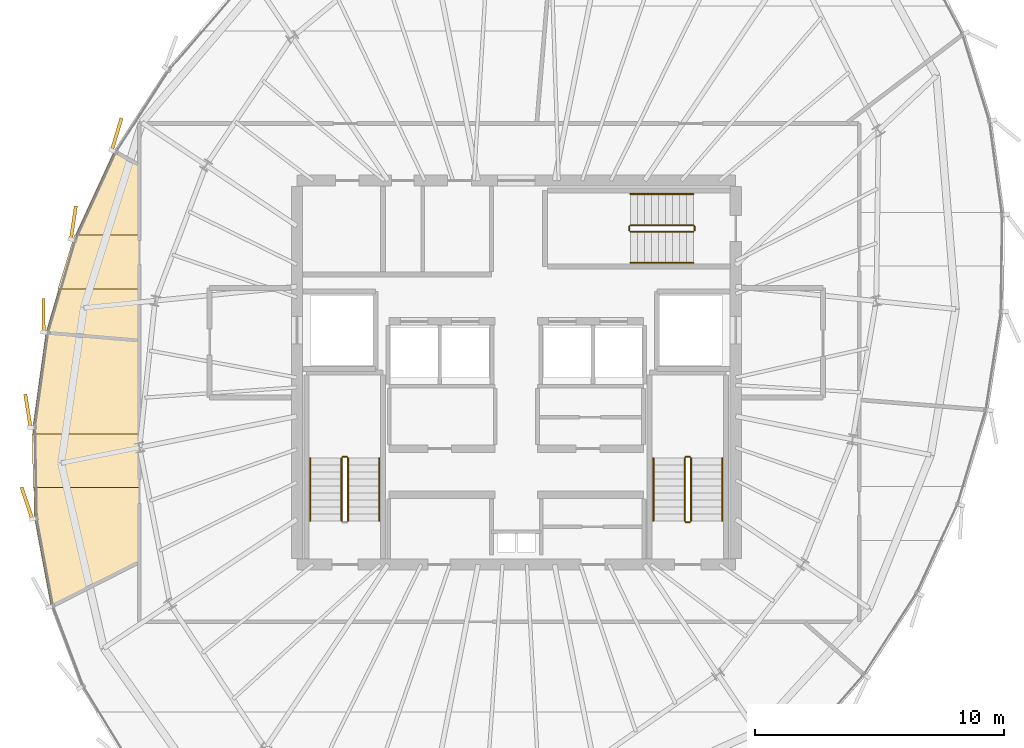
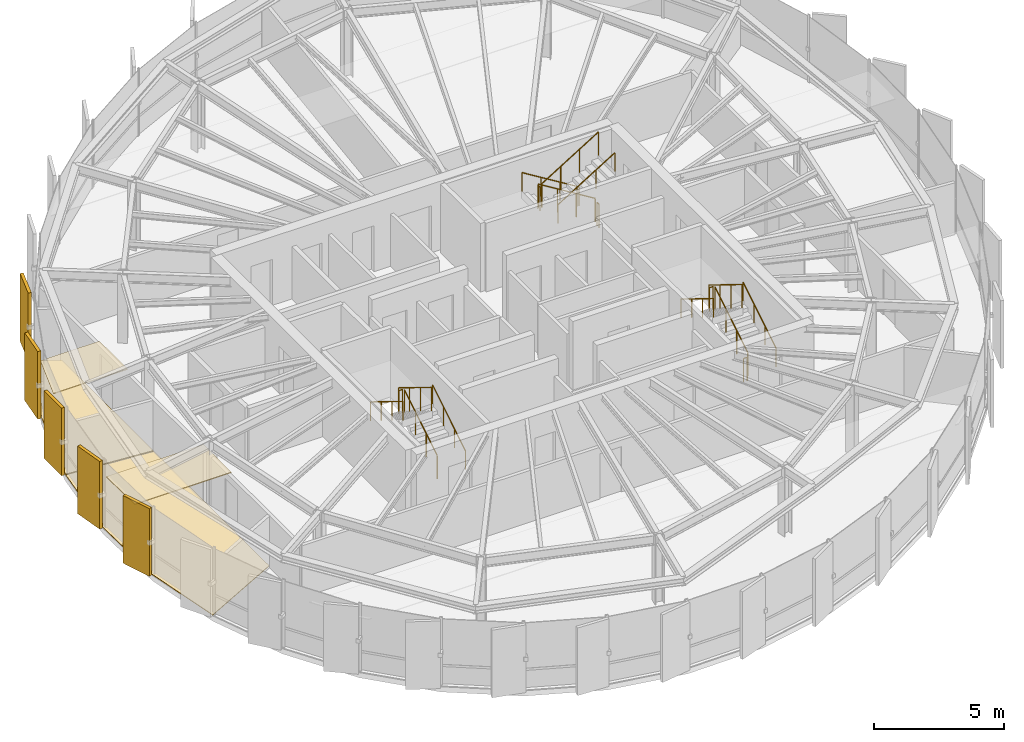
# One storey, part 31 of 32: 17 railings, 9 coverings.
"""IFC4 building model written with IfcOpenShell, lengths in metres."""

from ifc_helpers import new_model, si_unit, direction, frame, origin, origin_2d, place, context, subcontext, project, spatial, polyline, rectangle, circle, outline, extrude, source, transform, mapped, material, layer, layer_set, type_object, element, save


model = new_model("IFC4")

# Units and contexts
model_context = context("Model", 3, precision=1e-05, world=origin(), true_north=direction((0.0, 1.0)))
body_context = subcontext(model_context, "Body", "Model", "MODEL_VIEW")
ifc_project = project(units=[si_unit("LENGTHUNIT", "METRE"), si_unit("AREAUNIT", "SQUARE_METRE"), si_unit("VOLUMEUNIT", "CUBIC_METRE"), si_unit("PLANEANGLEUNIT", "RADIAN"), si_unit("MASSUNIT", "GRAM", prefix="KILO"), si_unit("THERMODYNAMICTEMPERATUREUNIT", "KELVIN")], contexts=[model_context])

# Site, building, storey
site_placement = place(None, origin())
site = spatial("IfcSite", under=ifc_project, at=site_placement, CompositionType="ELEMENT")
building_placement = place(site_placement, origin())
building = spatial("IfcBuilding", under=site, at=building_placement, Name="Kethvar Cultural Tower", CompositionType="ELEMENT")
storey_placement = place(building_placement, frame((0.0, 0.0, 280.14990234375)))
storey = spatial("IfcBuildingStorey", under=building, at=storey_placement, Name="L74", CompositionType="ELEMENT", Elevation=280.14990234375)

# Coverings
ifc_material_1 = material(Name="Acoustic Mineral Fibre Ceiling")
ifc_layer_1 = layer(ifc_material_1, 0.0400390625, Name="Acoustic Mineral Fibre Ceiling")
ifc_layer_set_1 = layer_set([ifc_layer_1], Name="Acoustic Mineral Fibre Ceiling (40 mm)")
covering_type_1 = type_object("IfcCoveringType", Name="CV-ACOUSTIC-CEIL", PredefinedType="CEILING", material=ifc_layer_set_1)
covering_1_placement = place(storey_placement, frame((0.0, 0.0, 2.56005859375)))
element("IfcCovering", 1, at=covering_1_placement, inside=storey, type_object=covering_type_1, Name="L74 Room 06 Acoustic Ceiling Panel", PredefinedType="CEILING", context=body_context, shape_type="SweptSolid", body=[
    extrude(outline(polyline([(28.41455078125, 31.159423828125), (29.077392578125, 33.309326171875), (31.699951171875, 33.309326171875), (31.699951171875, 31.159423828125), (28.41455078125, 31.159423828125)])), origin(), (0.0, 0.0, 1.0), 0.0400390625),
])
covering_2_placement = place(storey_placement, frame((0.0, 0.0, 2.56005859375)))
element("IfcCovering", 2, at=covering_2_placement, inside=storey, type_object=covering_type_1, Name="L74 Room 07 Acoustic Ceiling Panel", PredefinedType="CEILING", context=body_context, shape_type="SweptSolid", body=[
    extrude(outline(polyline([(27.383056640625, 25.331787109375), (31.699951171875, 25.331787109375), (31.699951171875, 23.181640625), (27.422607421875, 23.181640625), (27.383056640625, 25.331787109375)])), origin(), (0.0, 0.0, 1.0), 0.0400390625),
])
ifc_material_2 = material(Name="Honed Warm Limestone", Category="masonry")
ifc_layer_2 = layer(ifc_material_2, 0.030029296875, Name="Honed Warm Limestone", Category="masonry")
ifc_layer_set_2 = layer_set([ifc_layer_2], Name="Honed Warm Limestone (30 mm)")
covering_type_2 = type_object("IfcCoveringType", Name="CV-STONE-FLOOR", PredefinedType="FLOORING", material=ifc_layer_set_2)
covering_3_placement = place(storey_placement, origin())
element("IfcCovering", 3, at=covering_3_placement, inside=storey, type_object=covering_type_2, Name="L74 Room 06 Floor Finish", PredefinedType="FLOORING", context=body_context, shape_type="SweptSolid", body=[
    extrude(outline(polyline([(29.032470703125, 33.115966796875), (30.658203125, 36.651123046875), (31.659912109375, 36.1005859375), (31.659912109375, 29.107177734375), (27.94482421875, 29.423095703125), (29.032470703125, 33.115966796875)])), origin(), (0.0, 0.0, 1.0), 0.030029296875),
])
covering_4_placement = place(storey_placement, origin())
element("IfcCovering", 4, at=covering_4_placement, inside=storey, type_object=covering_type_2, Name="L74 Room 07 Floor Finish", PredefinedType="FLOORING", context=body_context, shape_type="SweptSolid", body=[
    extrude(outline(polyline([(27.485595703125, 21.939697265625), (27.41748046875, 25.637451171875), (27.935791015625, 29.3837890625), (31.659912109375, 29.06689453125), (31.659912109375, 20.21533203125), (28.135986328125, 18.44482421875), (27.485595703125, 21.939697265625)])), origin(), (0.0, 0.0, 1.0), 0.030029296875),
])

# Railings
ifc_material_3 = material(Name="Steel S355J2", Category="steel")
railing_type_1 = type_object("IfcRailingType", Name="RL-STAIR-GUARD", PredefinedType="BALUSTRADE", material=ifc_material_3)
railing_1_placement = place(storey_placement, frame((40.050048828125, 21.85009765625, 0.172607421875)))
element("IfcRailing", 5, at=railing_1_placement, inside=storey, type_object=railing_type_1, Name="L74 ST-01 stair guard 1", PredefinedType="BALUSTRADE", context=body_context, shape_type="SweptSolid", body=[
    extrude(circle(Radius=0.02392578125, at=origin_2d()), frame((0.0, 0.0, 1.09619140625), z_axis=(0.0, 0.851400495292, 0.524516154772), x_axis=(-1.0, 0.0, 0.0)), (0.0, 0.0, 1.0), 2.9599609375),
    extrude(circle(Radius=0.02099609375, at=origin_2d()), origin(), (0.0, 0.0, 1.0), 1.072021484375),
    extrude(circle(Radius=0.02099609375, at=origin_2d()), frame((0.0, 0.840087890625, 0.517578125)), (0.0, 0.0, 1.0), 1.072021484375),
    extrude(circle(Radius=0.02099609375, at=origin_2d()), frame((0.0, 1.679931640625, 1.034912109375)), (0.0, 0.0, 1.0), 1.072021484375),
    extrude(circle(Radius=0.02099609375, at=origin_2d()), frame((0.0, 2.52001953125, 1.552490234375)), (0.0, 0.0, 1.0), 1.072021484375),
])
railing_2_placement = place(storey_placement, frame((40.0, 24.419921875, 1.72509765625)))
element("IfcRailing", 6, at=railing_2_placement, inside=storey, type_object=railing_type_1, Name="L74 ST-01 stair guard 2", PredefinedType="BALUSTRADE", context=body_context, shape_type="SweptSolid", body=[
    extrude(circle(Radius=0.02392578125, at=origin_2d()), frame((0.0, 0.0, 1.09619140625), z_axis=(-1.0, 0.0, 0.0), x_axis=(0.0, -1.0, 0.0)), (0.0, 0.0, 1.0), 0.159912109375),
    extrude(circle(Radius=0.02099609375, at=origin_2d()), origin(), (0.0, 0.0, 1.0), 1.072021484375),
    extrude(circle(Radius=0.02099609375, at=origin_2d()), frame((-0.159912109375, 0.0, 0.0)), (0.0, 0.0, 1.0), 1.072021484375),
])
railing_3_placement = place(storey_placement, frame((39.7900390625, 24.3701171875, 1.897705078125)))
element("IfcRailing", 7, at=railing_3_placement, inside=storey, type_object=railing_type_1, Name="L74 ST-01 stair guard 3", PredefinedType="BALUSTRADE", context=body_context, shape_type="SweptSolid", body=[
    extrude(circle(Radius=0.02392578125, at=origin_2d()), frame((0.0, 0.0, 1.09619140625), z_axis=(0.0, -0.851400495292, 0.524516154772), x_axis=(1.0, 0.0, 0.0)), (0.0, 0.0, 1.0), 2.9599609375),
    extrude(circle(Radius=0.02099609375, at=origin_2d()), origin(), (0.0, 0.0, 1.0), 1.072021484375),
    extrude(circle(Radius=0.02099609375, at=origin_2d()), frame((0.0, -0.840087890625, 0.517578125)), (0.0, 0.0, 1.0), 1.072021484375),
    extrude(circle(Radius=0.02099609375, at=origin_2d()), frame((0.0, -1.679931640625, 1.034912109375)), (0.0, 0.0, 1.0), 1.072021484375),
    extrude(circle(Radius=0.02099609375, at=origin_2d()), frame((0.0, -2.52001953125, 1.552490234375)), (0.0, 0.0, 1.0), 1.072021484375),
])
railing_4_placement = place(storey_placement, frame((53.81005859375, 21.85009765625, 0.172607421875)))
element("IfcRailing", 8, at=railing_4_placement, inside=storey, type_object=railing_type_1, Name="L74 ST-02 stair guard 1", PredefinedType="BALUSTRADE", context=body_context, shape_type="SweptSolid", body=[
    extrude(circle(Radius=0.02392578125, at=origin_2d()), frame((0.0, 0.0, 1.09619140625), z_axis=(0.0, 0.851400495292, 0.524516154772), x_axis=(-1.0, 0.0, 0.0)), (0.0, 0.0, 1.0), 2.9599609375),
    extrude(circle(Radius=0.02099609375, at=origin_2d()), origin(), (0.0, 0.0, 1.0), 1.072021484375),
    extrude(circle(Radius=0.02099609375, at=origin_2d()), frame((0.0, 0.840087890625, 0.517578125)), (0.0, 0.0, 1.0), 1.072021484375),
    extrude(circle(Radius=0.02099609375, at=origin_2d()), frame((0.0, 1.679931640625, 1.034912109375)), (0.0, 0.0, 1.0), 1.072021484375),
    extrude(circle(Radius=0.02099609375, at=origin_2d()), frame((0.0, 2.52001953125, 1.552490234375)), (0.0, 0.0, 1.0), 1.072021484375),
])
railing_5_placement = place(storey_placement, frame((53.760009765625, 24.419921875, 1.72509765625)))
element("IfcRailing", 9, at=railing_5_placement, inside=storey, type_object=railing_type_1, Name="L74 ST-02 stair guard 2", PredefinedType="BALUSTRADE", context=body_context, shape_type="SweptSolid", body=[
    extrude(circle(Radius=0.02392578125, at=origin_2d()), frame((0.0, 0.0, 1.09619140625), z_axis=(-1.0, 0.0, 0.0), x_axis=(0.0, -1.0, 0.0)), (0.0, 0.0, 1.0), 0.159912109375),
    extrude(circle(Radius=0.02099609375, at=origin_2d()), origin(), (0.0, 0.0, 1.0), 1.072021484375),
    extrude(circle(Radius=0.02099609375, at=origin_2d()), frame((-0.159912109375, 0.0, 0.0)), (0.0, 0.0, 1.0), 1.072021484375),
])
railing_6_placement = place(storey_placement, frame((53.550048828125, 24.3701171875, 1.897705078125)))
element("IfcRailing", 10, at=railing_6_placement, inside=storey, type_object=railing_type_1, Name="L74 ST-02 stair guard 3", PredefinedType="BALUSTRADE", context=body_context, shape_type="SweptSolid", body=[
    extrude(circle(Radius=0.02392578125, at=origin_2d()), frame((0.0, 0.0, 1.09619140625), z_axis=(0.0, -0.851400495292, 0.524516154772), x_axis=(1.0, 0.0, 0.0)), (0.0, 0.0, 1.0), 2.9599609375),
    extrude(circle(Radius=0.02099609375, at=origin_2d()), origin(), (0.0, 0.0, 1.0), 1.072021484375),
    extrude(circle(Radius=0.02099609375, at=origin_2d()), frame((0.0, -0.840087890625, 0.517578125)), (0.0, 0.0, 1.0), 1.072021484375),
    extrude(circle(Radius=0.02099609375, at=origin_2d()), frame((0.0, -1.679931640625, 1.034912109375)), (0.0, 0.0, 1.0), 1.072021484375),
    extrude(circle(Radius=0.02099609375, at=origin_2d()), frame((0.0, -2.52001953125, 1.552490234375)), (0.0, 0.0, 1.0), 1.072021484375),
])
railing_7_placement = place(storey_placement, frame((53.760009765625, 21.800048828125, 0.0)))
element("IfcRailing", 11, at=railing_7_placement, inside=storey, type_object=railing_type_1, Name="L74 ST-02 stair guard 4", PredefinedType="BALUSTRADE", context=body_context, shape_type="SweptSolid", body=[
    extrude(circle(Radius=0.02392578125, at=origin_2d()), frame((0.0, 0.0, 1.09619140625), z_axis=(-1.0, 0.0, 0.0), x_axis=(0.0, -1.0, 0.0)), (0.0, 0.0, 1.0), 0.159912109375),
    extrude(circle(Radius=0.02099609375, at=origin_2d()), origin(), (0.0, 0.0, 1.0), 1.072021484375),
    extrude(circle(Radius=0.02099609375, at=origin_2d()), frame((-0.159912109375, 0.0, 0.0)), (0.0, 0.0, 1.0), 1.072021484375),
])
railing_8_placement = place(storey_placement, frame((53.89990234375, 33.7099609375, 0.172607421875)))
element("IfcRailing", 12, at=railing_8_placement, inside=storey, type_object=railing_type_1, Name="L74 ST-03 stair guard 1", PredefinedType="BALUSTRADE", context=body_context, shape_type="SweptSolid", body=[
    extrude(circle(Radius=0.02392578125, at=origin_2d()), frame((0.0, 0.0, 1.09619140625), z_axis=(-0.851400495292, 0.0, 0.524516154772), x_axis=(0.0, -1.0, 0.0)), (0.0, 0.0, 1.0), 2.9599609375),
    extrude(circle(Radius=0.02099609375, at=origin_2d()), origin(), (0.0, 0.0, 1.0), 1.072021484375),
    extrude(circle(Radius=0.02099609375, at=origin_2d()), frame((-0.840087890625, 0.0, 0.517578125)), (0.0, 0.0, 1.0), 1.072021484375),
    extrude(circle(Radius=0.02099609375, at=origin_2d()), frame((-1.679931640625, 0.0, 1.034912109375)), (0.0, 0.0, 1.0), 1.072021484375),
    extrude(circle(Radius=0.02099609375, at=origin_2d()), frame((-2.52001953125, 0.0, 1.552490234375)), (0.0, 0.0, 1.0), 1.072021484375),
])
railing_9_placement = place(storey_placement, frame((51.330078125, 33.659912109375, 1.72509765625)))
element("IfcRailing", 13, at=railing_9_placement, inside=storey, type_object=railing_type_1, Name="L74 ST-03 stair guard 2", PredefinedType="BALUSTRADE", context=body_context, shape_type="SweptSolid", body=[
    extrude(circle(Radius=0.02392578125, at=origin_2d()), frame((0.0, 0.0, 1.09619140625), z_axis=(0.0, -1.0, 0.0), x_axis=(1.0, 0.0, 0.0)), (0.0, 0.0, 1.0), 0.159912109375),
    extrude(circle(Radius=0.02099609375, at=origin_2d()), origin(), (0.0, 0.0, 1.0), 1.072021484375),
    extrude(circle(Radius=0.02099609375, at=origin_2d()), frame((0.0, -0.159912109375, 0.0)), (0.0, 0.0, 1.0), 1.072021484375),
])
railing_10_placement = place(storey_placement, frame((51.3798828125, 33.449951171875, 1.897705078125)))
element("IfcRailing", 14, at=railing_10_placement, inside=storey, type_object=railing_type_1, Name="L74 ST-03 stair guard 3", PredefinedType="BALUSTRADE", context=body_context, shape_type="SweptSolid", body=[
    extrude(circle(Radius=0.02392578125, at=origin_2d()), frame((0.0, 0.0, 1.09619140625), z_axis=(0.851400495292, 0.0, 0.524516154772), x_axis=(0.0, 1.0, 0.0)), (0.0, 0.0, 1.0), 2.9599609375),
    extrude(circle(Radius=0.02099609375, at=origin_2d()), origin(), (0.0, 0.0, 1.0), 1.072021484375),
    extrude(circle(Radius=0.02099609375, at=origin_2d()), frame((0.840087890625, 0.0, 0.517578125)), (0.0, 0.0, 1.0), 1.072021484375),
    extrude(circle(Radius=0.02099609375, at=origin_2d()), frame((1.679931640625, 0.0, 1.034912109375)), (0.0, 0.0, 1.0), 1.072021484375),
    extrude(circle(Radius=0.02099609375, at=origin_2d()), frame((2.52001953125, 0.0, 1.552490234375)), (0.0, 0.0, 1.0), 1.072021484375),
])
railing_11_placement = place(storey_placement, frame((53.949951171875, 33.659912109375, 0.0)))
element("IfcRailing", 15, at=railing_11_placement, inside=storey, type_object=railing_type_1, Name="L74 ST-03 stair guard 4", PredefinedType="BALUSTRADE", context=body_context, shape_type="SweptSolid", body=[
    extrude(circle(Radius=0.02392578125, at=origin_2d()), frame((0.0, 0.0, 1.09619140625), z_axis=(0.0, -1.0, 0.0), x_axis=(1.0, 0.0, 0.0)), (0.0, 0.0, 1.0), 0.159912109375),
    extrude(circle(Radius=0.02099609375, at=origin_2d()), origin(), (0.0, 0.0, 1.0), 1.072021484375),
    extrude(circle(Radius=0.02099609375, at=origin_2d()), frame((0.0, -0.159912109375, 0.0)), (0.0, 0.0, 1.0), 1.072021484375),
])
railing_type_2 = type_object("IfcRailingType", Name="RL-STAIR-HANDRAIL", PredefinedType="HANDRAIL", material=ifc_material_3)
railing_12_placement = place(storey_placement, frame((41.300048828125, 21.85009765625, 0.172607421875)))
element("IfcRailing", 16, at=railing_12_placement, inside=storey, type_object=railing_type_2, Name="L74 ST-01 stair handrail 1", PredefinedType="HANDRAIL", context=body_context, shape_type="SweptSolid", body=[
    extrude(circle(Radius=0.02392578125, at=origin_2d()), frame((0.0, 0.0, 0.8759765625), z_axis=(0.0, 0.851400495292, 0.524516154772), x_axis=(-1.0, 0.0, 0.0)), (0.0, 0.0, 1.0), 2.9599609375),
    extrude(circle(Radius=0.02099609375, at=origin_2d()), origin(), (0.0, 0.0, 1.0), 0.851806640625),
    extrude(circle(Radius=0.02099609375, at=origin_2d()), frame((0.0, 0.840087890625, 0.517578125)), (0.0, 0.0, 1.0), 0.851806640625),
    extrude(circle(Radius=0.02099609375, at=origin_2d()), frame((0.0, 1.679931640625, 1.034912109375)), (0.0, 0.0, 1.0), 0.851806640625),
    extrude(circle(Radius=0.02099609375, at=origin_2d()), frame((0.0, 2.52001953125, 1.552490234375)), (0.0, 0.0, 1.0), 0.851806640625),
])
railing_13_placement = place(storey_placement, frame((38.5400390625, 24.3701171875, 1.897705078125)))
element("IfcRailing", 17, at=railing_13_placement, inside=storey, type_object=railing_type_2, Name="L74 ST-01 stair handrail 2", PredefinedType="HANDRAIL", context=body_context, shape_type="SweptSolid", body=[
    extrude(circle(Radius=0.02392578125, at=origin_2d()), frame((0.0, 0.0, 0.8759765625), z_axis=(0.0, -0.851400495292, 0.524516154772), x_axis=(1.0, 0.0, 0.0)), (0.0, 0.0, 1.0), 2.9599609375),
    extrude(circle(Radius=0.02099609375, at=origin_2d()), origin(), (0.0, 0.0, 1.0), 0.851806640625),
    extrude(circle(Radius=0.02099609375, at=origin_2d()), frame((0.0, -0.840087890625, 0.517578125)), (0.0, 0.0, 1.0), 0.851806640625),
    extrude(circle(Radius=0.02099609375, at=origin_2d()), frame((0.0, -1.679931640625, 1.034912109375)), (0.0, 0.0, 1.0), 0.851806640625),
    extrude(circle(Radius=0.02099609375, at=origin_2d()), frame((0.0, -2.52001953125, 1.552490234375)), (0.0, 0.0, 1.0), 0.851806640625),
])
railing_14_placement = place(storey_placement, frame((55.06005859375, 21.85009765625, 0.172607421875)))
element("IfcRailing", 18, at=railing_14_placement, inside=storey, type_object=railing_type_2, Name="L74 ST-02 stair handrail 1", PredefinedType="HANDRAIL", context=body_context, shape_type="SweptSolid", body=[
    extrude(circle(Radius=0.02392578125, at=origin_2d()), frame((0.0, 0.0, 0.8759765625), z_axis=(0.0, 0.851400495292, 0.524516154772), x_axis=(-1.0, 0.0, 0.0)), (0.0, 0.0, 1.0), 2.9599609375),
    extrude(circle(Radius=0.02099609375, at=origin_2d()), origin(), (0.0, 0.0, 1.0), 0.851806640625),
    extrude(circle(Radius=0.02099609375, at=origin_2d()), frame((0.0, 0.840087890625, 0.517578125)), (0.0, 0.0, 1.0), 0.851806640625),
    extrude(circle(Radius=0.02099609375, at=origin_2d()), frame((0.0, 1.679931640625, 1.034912109375)), (0.0, 0.0, 1.0), 0.851806640625),
    extrude(circle(Radius=0.02099609375, at=origin_2d()), frame((0.0, 2.52001953125, 1.552490234375)), (0.0, 0.0, 1.0), 0.851806640625),
])
railing_15_placement = place(storey_placement, frame((52.300048828125, 24.3701171875, 1.897705078125)))
element("IfcRailing", 19, at=railing_15_placement, inside=storey, type_object=railing_type_2, Name="L74 ST-02 stair handrail 2", PredefinedType="HANDRAIL", context=body_context, shape_type="SweptSolid", body=[
    extrude(circle(Radius=0.02392578125, at=origin_2d()), frame((0.0, 0.0, 0.8759765625), z_axis=(0.0, -0.851400495292, 0.524516154772), x_axis=(1.0, 0.0, 0.0)), (0.0, 0.0, 1.0), 2.9599609375),
    extrude(circle(Radius=0.02099609375, at=origin_2d()), origin(), (0.0, 0.0, 1.0), 0.851806640625),
    extrude(circle(Radius=0.02099609375, at=origin_2d()), frame((0.0, -0.840087890625, 0.517578125)), (0.0, 0.0, 1.0), 0.851806640625),
    extrude(circle(Radius=0.02099609375, at=origin_2d()), frame((0.0, -1.679931640625, 1.034912109375)), (0.0, 0.0, 1.0), 0.851806640625),
    extrude(circle(Radius=0.02099609375, at=origin_2d()), frame((0.0, -2.52001953125, 1.552490234375)), (0.0, 0.0, 1.0), 0.851806640625),
])
railing_16_placement = place(storey_placement, frame((53.89990234375, 34.9599609375, 0.172607421875)))
element("IfcRailing", 20, at=railing_16_placement, inside=storey, type_object=railing_type_2, Name="L74 ST-03 stair handrail 1", PredefinedType="HANDRAIL", context=body_context, shape_type="SweptSolid", body=[
    extrude(circle(Radius=0.02392578125, at=origin_2d()), frame((0.0, 0.0, 0.8759765625), z_axis=(-0.851400495292, 0.0, 0.524516154772), x_axis=(0.0, -1.0, 0.0)), (0.0, 0.0, 1.0), 2.9599609375),
    extrude(circle(Radius=0.02099609375, at=origin_2d()), origin(), (0.0, 0.0, 1.0), 0.851806640625),
    extrude(circle(Radius=0.02099609375, at=origin_2d()), frame((-0.840087890625, 0.0, 0.517578125)), (0.0, 0.0, 1.0), 0.851806640625),
    extrude(circle(Radius=0.02099609375, at=origin_2d()), frame((-1.679931640625, 0.0, 1.034912109375)), (0.0, 0.0, 1.0), 0.851806640625),
    extrude(circle(Radius=0.02099609375, at=origin_2d()), frame((-2.52001953125, 0.0, 1.552490234375)), (0.0, 0.0, 1.0), 0.851806640625),
])
railing_17_placement = place(storey_placement, frame((51.3798828125, 32.199951171875, 1.897705078125)))
element("IfcRailing", 21, at=railing_17_placement, inside=storey, type_object=railing_type_2, Name="L74 ST-03 stair handrail 2", PredefinedType="HANDRAIL", context=body_context, shape_type="SweptSolid", body=[
    extrude(circle(Radius=0.02392578125, at=origin_2d()), frame((0.0, 0.0, 0.8759765625), z_axis=(0.851400495292, 0.0, 0.524516154772), x_axis=(0.0, 1.0, 0.0)), (0.0, 0.0, 1.0), 2.9599609375),
    extrude(circle(Radius=0.02099609375, at=origin_2d()), origin(), (0.0, 0.0, 1.0), 0.851806640625),
    extrude(circle(Radius=0.02099609375, at=origin_2d()), frame((0.840087890625, 0.0, 0.517578125)), (0.0, 0.0, 1.0), 0.851806640625),
    extrude(circle(Radius=0.02099609375, at=origin_2d()), frame((1.679931640625, 0.0, 1.034912109375)), (0.0, 0.0, 1.0), 0.851806640625),
    extrude(circle(Radius=0.02099609375, at=origin_2d()), frame((2.52001953125, 0.0, 1.552490234375)), (0.0, 0.0, 1.0), 0.851806640625),
])

# Coverings
ifc_material_4 = material(Name="Extruded Architectural Terracotta", Category="masonry")
ifc_layer_3 = layer(ifc_material_4, 0.135009765625, Name="Extruded Architectural Terracotta", Category="masonry")
ifc_layer_set_3 = layer_set([ifc_layer_3], Name="Extruded Architectural Terracotta (135 mm)")
covering_type_3 = type_object("IfcCoveringType", Name="Terracotta Facade Fin FIN-03", PredefinedType="CLADDING", material=ifc_layer_set_3)
shared_shape = source(origin(), body_context, "Body", "SweptSolid", [
    extrude(rectangle(XDim=1.35009765625, YDim=0.135009765625, at=origin_2d()), origin(), (0.0, 0.0, 1.0), 3.169921875),
])
for number, where, z_axis, x_axis, name in (
    (22, (30.770263671875, 37.35888671875, 0.02001953125), (0.0, 0.0, 1.0), (0.287193343912, 0.957872634129, 0.0), "L74 Vertical Terracotta Fin 2.4"),
    (23, (29.03564453125, 33.813232421875, 0.02001953125), (0.0, 0.0, 1.0), (0.146255686931, 0.989246821597, 0.0), "L74 Vertical Terracotta Fin 2.5"),
    (24, (27.838134765625, 30.09130859375, 0.02001953125), (0.0, 0.0, 1.0), (-0.002094393571, 0.999997806755, 0.0), "L74 Vertical Terracotta Fin 2.6"),
    (25, (27.211669921875, 26.26806640625, 0.02001953125), (0.0, 0.0, 1.0), (-0.157468683888, 0.987523981276, 0.0), "L74 Vertical Terracotta Fin 3.1"),
    (26, (27.17236328125, 22.56298828125, 0.02001953125), (0.0, 0.0, 1.0), (-0.317966633832, 0.948101903684, 0.0), "L74 Vertical Terracotta Fin 3.2"),
):
    element("IfcCovering", number, at=place(storey_placement, frame(where, z_axis=z_axis, x_axis=x_axis)), inside=storey, type_object=covering_type_3, Name=name, PredefinedType="CLADDING", context=body_context, shape_type="MappedRepresentation", body=[
        mapped(shared_shape, transform((0.0, 0.0, 0.0), scale=1.0)),
    ])

save(model, "model.ifc")
